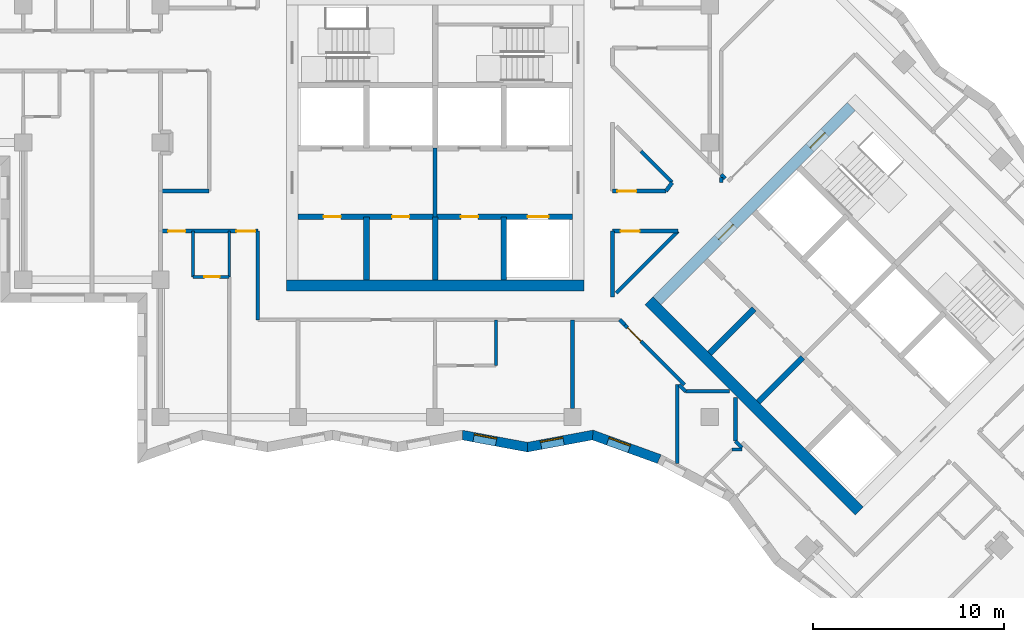
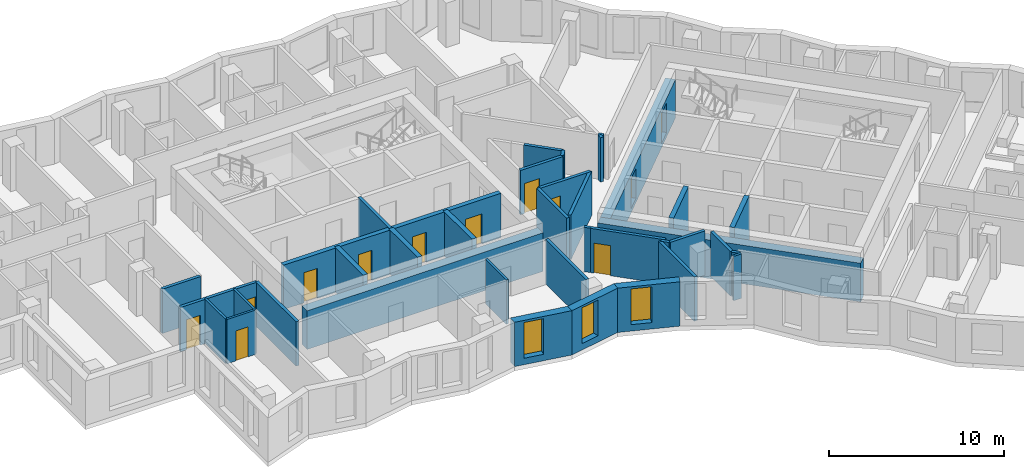
# One storey, part 3 of 13: 37 walls, 12 doors, 3 windows, 15 openings.
"""IFC4 building model written with IfcOpenShell, lengths in metres."""

from ifc_helpers import new_model, si_unit, direction, frame, frame_2d, origin, place, context, subcontext, project, spatial, polyline, rectangle, outline, extrude, material, layer, layer_set, type_object, element, fill, save


model = new_model("IFC4")

# Units and contexts
model_context = context("Model", 3, precision=1e-05, world=origin(), true_north=direction((0.0, 1.0)))
body_context = subcontext(model_context, "Body", "Model", "MODEL_VIEW")
ifc_project = project(units=[si_unit("LENGTHUNIT", "METRE"), si_unit("AREAUNIT", "SQUARE_METRE"), si_unit("VOLUMEUNIT", "CUBIC_METRE"), si_unit("PLANEANGLEUNIT", "RADIAN"), si_unit("MASSUNIT", "GRAM", prefix="KILO")], contexts=[model_context])

# Site, building, storey
site_placement = place(None, origin())
site = spatial("IfcSite", under=ifc_project, at=site_placement, CompositionType="ELEMENT")
building_placement = place(site_placement, origin())
building = spatial("IfcBuilding", under=site, at=building_placement, Name="Windrow Commons", CompositionType="ELEMENT")
storey_placement = place(building_placement, frame((0.0, 0.0, 172.8)))
storey = spatial("IfcBuildingStorey", under=building, at=storey_placement, Name="L47", CompositionType="ELEMENT", Elevation=172.8)

# Wall, opening, window
ifc_material_1 = material(Name="Brick masonry, red clay brick", Category="masonry")
ifc_layer_1 = layer(ifc_material_1, 0.5)
ifc_layer_set_1 = layer_set([ifc_layer_1], Name="Brick facade wall 500")
wall_type_1 = type_object("IfcWallType", Name="Brick facade wall 500", PredefinedType="SOLIDWALL", material=ifc_layer_set_1)
wall_1_placement = place(storey_placement, frame((66.2309, 42.2543, 0.0), z_axis=(0.0, 0.0, 1.0), x_axis=(0.9831669658, -0.1827093798, 0.0)))
wall_1 = element("IfcWall", 1, at=wall_1_placement, inside=storey, type_object=wall_type_1, Name="Brick facade wall L47 47", PredefinedType="SOLIDWALL", context=body_context, shape_type="SweptSolid", body=[
    extrude(outline(polyline([(0.0465, -0.25), (3.511, -0.25), (3.418, 0.25), (-0.0465, 0.25), (0.0465, -0.25)])), origin(), (0.0, 0.0, 1.0), 3.1),
])
opening_1_placement = place(wall_1_placement, frame((0.6031, 0.0, 0.45)))
opening_1 = element("IfcOpeningElement", 2, at=opening_1_placement, cuts=wall_1, Name="Opening W7E", PredefinedType="OPENING", context=body_context, shape_type="SweptSolid", body=[
    extrude(rectangle(XDim=1.2, YDim=2.5, at=frame_2d((0.6, 1.25))), frame((0.0, 0.26, 0.0), z_axis=(0.0, -1.0, 0.0), x_axis=(1.0, 0.0, 0.0)), (0.0, 0.0, 1.0), 0.52),
])
ifc_material_2 = material(Name="Clear float glass in anodised aluminium frame", Category="aluminium")
window_type = type_object("IfcWindowType", Name="Window W7 notch 1200x2500", PartitioningType="SINGLE_PANEL", PredefinedType="WINDOW", material=ifc_material_2)
window_1_placement = place(opening_1_placement, origin())
window_1 = element("IfcWindow", 3, at=window_1_placement, inside=storey, type_object=window_type, Name="Window L47 47.1", OverallHeight=2.5, OverallWidth=1.2, PartitioningType="SINGLE_PANEL", PredefinedType="WINDOW", context=body_context, shape_type="SweptSolid", body=[
    extrude(rectangle(XDim=1.2, YDim=2.5, at=frame_2d((0.6, 1.25))), frame((0.0, 0.18, 0.0), z_axis=(0.0, -1.0, 0.0), x_axis=(1.0, 0.0, 0.0)), (0.0, 0.0, 1.0), 0.06),
])
fill(opening_1, window_1)

wall_2_placement = place(storey_placement, frame((69.6371, 41.6213, 0.0), z_axis=(0.0, 0.0, 1.0), x_axis=(0.9831680568, 0.1827035087, 0.0)))
wall_2 = element("IfcWall", 4, at=wall_2_placement, inside=storey, type_object=wall_type_1, Name="Brick facade wall L47 48", PredefinedType="SOLIDWALL", context=body_context, shape_type="SweptSolid", body=[
    extrude(outline(polyline([(-0.0465, -0.25), (3.418, -0.25), (3.554, 0.25), (0.0465, 0.25), (-0.0465, -0.25)])), origin(), (0.0, 0.0, 1.0), 3.1),
])
opening_2_placement = place(wall_2_placement, frame((0.7249, 0.0, 0.45)))
opening_2 = element("IfcOpeningElement", 5, at=opening_2_placement, cuts=wall_2, Name="Opening W7E", PredefinedType="OPENING", context=body_context, shape_type="SweptSolid", body=[
    extrude(rectangle(XDim=1.2, YDim=2.5, at=frame_2d((0.6, 1.25))), frame((0.0, 0.26, 0.0), z_axis=(0.0, -1.0, 0.0), x_axis=(1.0, 0.0, 0.0)), (0.0, 0.0, 1.0), 0.52),
])
window_2_placement = place(opening_2_placement, origin())
window_2 = element("IfcWindow", 6, at=window_2_placement, inside=storey, type_object=window_type, Name="Window L47 48.1", OverallHeight=2.5, OverallWidth=1.2, PartitioningType="SINGLE_PANEL", PredefinedType="WINDOW", context=body_context, shape_type="SweptSolid", body=[
    extrude(rectangle(XDim=1.2, YDim=2.5, at=frame_2d((0.6, 1.25))), frame((0.0, 0.18, 0.0), z_axis=(0.0, -1.0, 0.0), x_axis=(1.0, 0.0, 0.0)), (0.0, 0.0, 1.0), 0.06),
])
fill(opening_2, window_2)

wall_3_placement = place(storey_placement, frame((73.0644, 42.2582, 0.0), z_axis=(0.0, 0.0, 1.0), x_axis=(0.9402915947, -0.3403699707, 0.0)))
wall_3 = element("IfcWall", 7, at=wall_3_placement, inside=storey, type_object=wall_type_1, Name="Brick facade wall L47 49", PredefinedType="SOLIDWALL", context=body_context, shape_type="SweptSolid", body=[
    extrude(outline(polyline([(0.068, -0.25), (3.6905, -0.25), (3.7262, 0.25), (-0.068, 0.25), (0.068, -0.25)])), origin(), (0.0, 0.0, 1.0), 3.1),
])
opening_3_placement = place(wall_3_placement, frame((0.8483, 0.0, 0.45)))
opening_3 = element("IfcOpeningElement", 8, at=opening_3_placement, cuts=wall_3, Name="Opening W7E", PredefinedType="OPENING", context=body_context, shape_type="SweptSolid", body=[
    extrude(rectangle(XDim=1.2, YDim=2.5, at=frame_2d((0.6, 1.25))), frame((0.0, 0.26, 0.0), z_axis=(0.0, -1.0, 0.0), x_axis=(1.0, 0.0, 0.0)), (0.0, 0.0, 1.0), 0.52),
])
window_3_placement = place(opening_3_placement, origin())
window_3 = element("IfcWindow", 9, at=window_3_placement, inside=storey, type_object=window_type, Name="Window L47 49.1", OverallHeight=2.5, OverallWidth=1.2, PartitioningType="SINGLE_PANEL", PredefinedType="WINDOW", context=body_context, shape_type="SweptSolid", body=[
    extrude(rectangle(XDim=1.2, YDim=2.5, at=frame_2d((0.6, 1.25))), frame((0.0, 0.18, 0.0), z_axis=(0.0, -1.0, 0.0), x_axis=(1.0, 0.0, 0.0)), (0.0, 0.0, 1.0), 0.06),
])
fill(opening_3, window_3)

# Wall
ifc_material_3 = material(Name="Blockwork partition", Category="masonry")
ifc_layer_2 = layer(ifc_material_3, 0.2)
ifc_layer_set_2 = layer_set([ifc_layer_2], Name="Fire lobby partition 200")
wall_type_2 = type_object("IfcWallType", Name="Fire lobby partition 200", PredefinedType="PARTITIONING", material=ifc_layer_set_2)
wall_4_placement = place(storey_placement, frame((64.8, 53.7, 0.0), z_axis=(0.0, 0.0, 1.0), x_axis=(0.0, 1.0, 0.0)))
element("IfcWall", 10, at=wall_4_placement, inside=storey, type_object=wall_type_2, Name="W-core-lobby-A-L47", PredefinedType="PARTITIONING", context=body_context, shape_type="SweptSolid", body=[
    extrude(rectangle(XDim=3.6, YDim=0.2, at=frame_2d((1.8, 0.0))), origin(), (0.0, 0.0, 1.0), 3.1),
])

# Wall, openings, doors
ifc_material_4 = material(Name="Blockwork partition", Category="masonry")
ifc_layer_3 = layer(ifc_material_4, 0.2)
ifc_layer_set_3 = layer_set([ifc_layer_3], Name="IW-CORRIDOR-200")
wall_type_3 = type_object("IfcWallType", Name="IW-CORRIDOR-200", PredefinedType="PARTITIONING", material=ifc_layer_set_3)
wall_5_placement = place(storey_placement, frame((50.4, 52.95, 0.0), z_axis=(0.0, 0.0, 1.0), x_axis=(1.0, 0.0, 0.0)))
wall_5 = element("IfcWall", 11, at=wall_5_placement, inside=storey, type_object=wall_type_3, Name="W-L47-W035", PredefinedType="PARTITIONING", context=body_context, shape_type="SweptSolid", body=[
    extrude(rectangle(XDim=5.1, YDim=0.2, at=frame_2d((2.55, 0.0))), origin(), (0.0, 0.0, 1.0), 3.1),
])
opening_4_placement = place(wall_5_placement, frame((0.4, 0.0, 0.0)))
opening_4 = element("IfcOpeningElement", 12, at=opening_4_placement, cuts=wall_5, Name="Opening D109S", PredefinedType="OPENING", context=body_context, shape_type="SweptSolid", body=[
    extrude(rectangle(XDim=0.9, YDim=2.1, at=frame_2d((0.45, 1.05))), frame((0.0, 0.11, 0.0), z_axis=(0.0, -1.0, 0.0), x_axis=(1.0, 0.0, 0.0)), (0.0, 0.0, 1.0), 0.22),
])
opening_5_placement = place(wall_5_placement, frame((3.976, 0.0, 0.0)))
opening_5 = element("IfcOpeningElement", 13, at=opening_5_placement, cuts=wall_5, Name="Opening D310F", PredefinedType="OPENING", context=body_context, shape_type="SweptSolid", body=[
    extrude(rectangle(XDim=1.0, YDim=2.1, at=frame_2d((0.5, 1.05))), frame((0.0, 0.11, 0.0), z_axis=(0.0, -1.0, 0.0), x_axis=(1.0, 0.0, 0.0)), (0.0, 0.0, 1.0), 0.22),
])
ifc_material_5 = material(Name="Timber door leaf", Category="wood")
door_type_1 = type_object("IfcDoorType", Name="DT-AMENITY-1000", OperationType="SINGLE_SWING_LEFT", PredefinedType="DOOR", material=ifc_material_5)
door_1_placement = place(opening_5_placement, origin())
door_1 = element("IfcDoor", 14, at=door_1_placement, inside=storey, type_object=door_type_1, Name="D-L47-D027", OperationType="SINGLE_SWING_RIGHT", OverallHeight=2.1, OverallWidth=1.0, PredefinedType="DOOR", context=body_context, shape_type="SweptSolid", body=[
    extrude(rectangle(XDim=1.0, YDim=2.1, at=frame_2d((0.5, 1.05))), frame((0.0, 0.025, 0.0), z_axis=(0.0, -1.0, 0.0), x_axis=(1.0, 0.0, 0.0)), (0.0, 0.0, 1.0), 0.05),
])
fill(opening_5, door_1)
ifc_material_6 = material(Name="Timber door leaf", Category="wood")
door_type_2 = type_object("IfcDoorType", Name="DT-BEDROOM-900", OperationType="SINGLE_SWING_LEFT", PredefinedType="DOOR", material=ifc_material_6)
door_2_placement = place(opening_4_placement, origin())
door_2 = element("IfcDoor", 15, at=door_2_placement, inside=storey, type_object=door_type_2, Name="D-L47-D025", OperationType="SINGLE_SWING_LEFT", OverallHeight=2.1, OverallWidth=0.9, PredefinedType="DOOR", context=body_context, shape_type="SweptSolid", body=[
    extrude(rectangle(XDim=0.9, YDim=2.1, at=frame_2d((0.45, 1.05))), frame((0.0, 0.025, 0.0), z_axis=(0.0, -1.0, 0.0), x_axis=(1.0, 0.0, 0.0)), (0.0, 0.0, 1.0), 0.05),
])
fill(opening_4, door_2)

# Walls
wall_6_placement = place(storey_placement, frame((55.5, 48.3, 0.0), z_axis=(0.0, 0.0, 1.0), x_axis=(0.0, 1.0, 0.0)))
element("IfcWall", 16, at=wall_6_placement, inside=storey, type_object=wall_type_3, Name="W-L47-W040", PredefinedType="PARTITIONING", context=body_context, shape_type="SweptSolid", body=[
    extrude(rectangle(XDim=4.65, YDim=0.2, at=frame_2d((2.325, 0.0))), origin(), (0.0, 0.0, 1.0), 3.1),
])
wall_7_placement = place(storey_placement, frame((74.2996, 49.7064, 0.0), z_axis=(0.0, 0.0, 1.0), x_axis=(0.7071067812, 0.7071067812, 0.0)))
element("IfcWall", 17, at=wall_7_placement, inside=storey, type_object=wall_type_3, Name="W-L47-W045", PredefinedType="PARTITIONING", context=body_context, shape_type="SweptSolid", body=[
    extrude(rectangle(XDim=4.5877, YDim=0.2, at=frame_2d((2.2938, 0.0))), origin(), (0.0, 0.0, 1.0), 3.1),
])

# Wall, opening, door
wall_8_placement = place(storey_placement, frame((74.7447, 48.0287, 0.0), z_axis=(0.0, 0.0, 1.0), x_axis=(0.7068806156, -0.7073328745, 0.0)))
wall_8 = element("IfcWall", 18, at=wall_8_placement, inside=storey, type_object=wall_type_3, Name="W-L47-W047", PredefinedType="PARTITIONING", context=body_context, shape_type="SweptSolid", body=[
    extrude(rectangle(XDim=4.4222, YDim=0.2, at=frame_2d((2.2111, 0.0))), origin(), (0.0, 0.0, 1.0), 3.1),
])
opening_6_placement = place(wall_8_placement, frame((0.1993, 0.0, 0.0)))
opening_6 = element("IfcOpeningElement", 19, at=opening_6_placement, cuts=wall_8, Name="Opening D310F", PredefinedType="OPENING", context=body_context, shape_type="SweptSolid", body=[
    extrude(rectangle(XDim=1.0, YDim=2.1, at=frame_2d((0.5, 1.05))), frame((0.0, 0.11, 0.0), z_axis=(0.0, -1.0, 0.0), x_axis=(1.0, 0.0, 0.0)), (0.0, 0.0, 1.0), 0.22),
])
door_3_placement = place(opening_6_placement, origin())
door_3 = element("IfcDoor", 20, at=door_3_placement, inside=storey, type_object=door_type_1, Name="D-L47-D039", OperationType="SINGLE_SWING_LEFT", OverallHeight=2.1, OverallWidth=1.0, PredefinedType="DOOR", context=body_context, shape_type="SweptSolid", body=[
    extrude(rectangle(XDim=1.0, YDim=2.1, at=frame_2d((0.5, 1.05))), frame((0.0, 0.025, 0.0), z_axis=(0.0, -1.0, 0.0), x_axis=(1.0, 0.0, 0.0)), (0.0, 0.0, 1.0), 0.05),
])
fill(opening_6, door_3)

# Wall
wall_9_placement = place(storey_placement, frame((74.1, 49.508, 0.0), z_axis=(0.0, 0.0, 1.0), x_axis=(0.0, 1.0, 0.0)))
element("IfcWall", 21, at=wall_9_placement, inside=storey, type_object=wall_type_3, Name="W-L47-W055", PredefinedType="PARTITIONING", context=body_context, shape_type="SweptSolid", body=[
    extrude(rectangle(XDim=3.442, YDim=0.2, at=frame_2d((1.721, 0.0))), origin(), (0.0, 0.0, 1.0), 3.1),
])

# Wall, opening, door
wall_10_placement = place(storey_placement, frame((74.102, 52.95, 0.0), z_axis=(0.0, 0.0, 1.0), x_axis=(1.0, 0.0, 0.0)))
wall_10 = element("IfcWall", 22, at=wall_10_placement, inside=storey, type_object=wall_type_3, Name="W-L47-W056", PredefinedType="PARTITIONING", context=body_context, shape_type="SweptSolid", body=[
    extrude(rectangle(XDim=3.44, YDim=0.2, at=frame_2d((1.72, 0.0))), origin(), (0.0, 0.0, 1.0), 3.1),
])
opening_7_placement = place(wall_10_placement, frame((0.426, 0.0, 0.0)))
opening_7 = element("IfcOpeningElement", 23, at=opening_7_placement, cuts=wall_10, Name="Opening D410F", PredefinedType="OPENING", context=body_context, shape_type="SweptSolid", body=[
    extrude(rectangle(XDim=1.0, YDim=2.1, at=frame_2d((0.5, 1.05))), frame((0.0, 0.11, 0.0), z_axis=(0.0, -1.0, 0.0), x_axis=(1.0, 0.0, 0.0)), (0.0, 0.0, 1.0), 0.22),
])
ifc_material_7 = material(Name="Timber door leaf", Category="wood")
door_type_3 = type_object("IfcDoorType", Name="DT-SERVICE-1000", OperationType="SINGLE_SWING_LEFT", PredefinedType="DOOR", material=ifc_material_7)
door_4_placement = place(opening_7_placement, origin())
door_4 = element("IfcDoor", 24, at=door_4_placement, inside=storey, type_object=door_type_3, Name="D-L47-D000", OperationType="SINGLE_SWING_RIGHT", OverallHeight=2.1, OverallWidth=1.0, PredefinedType="DOOR", context=body_context, shape_type="SweptSolid", body=[
    extrude(rectangle(XDim=1.0, YDim=2.1, at=frame_2d((0.5, 1.05))), frame((0.0, 0.025, 0.0), z_axis=(0.0, -1.0, 0.0), x_axis=(1.0, 0.0, 0.0)), (0.0, 0.0, 1.0), 0.05),
])
fill(opening_7, door_4)

wall_11_placement = place(storey_placement, frame((74.102, 55.05, 0.0), z_axis=(0.0, 0.0, 1.0), x_axis=(1.0, 0.0, 0.0)))
wall_11 = element("IfcWall", 25, at=wall_11_placement, inside=storey, type_object=wall_type_3, Name="W-L47-W062", PredefinedType="PARTITIONING", context=body_context, shape_type="SweptSolid", body=[
    extrude(rectangle(XDim=2.794, YDim=0.2, at=frame_2d((1.397, 0.0))), origin(), (0.0, 0.0, 1.0), 3.1),
])
opening_8_placement = place(wall_11_placement, frame((0.2542, 0.0, 0.0)))
opening_8 = element("IfcOpeningElement", 26, at=opening_8_placement, cuts=wall_11, Name="Opening D410F", PredefinedType="OPENING", context=body_context, shape_type="SweptSolid", body=[
    extrude(rectangle(XDim=1.0, YDim=2.1, at=frame_2d((0.5, 1.05))), frame((0.0, 0.11, 0.0), z_axis=(0.0, -1.0, 0.0), x_axis=(1.0, 0.0, 0.0)), (0.0, 0.0, 1.0), 0.22),
])
door_5_placement = place(opening_8_placement, origin())
door_5 = element("IfcDoor", 27, at=door_5_placement, inside=storey, type_object=door_type_3, Name="D-L47-D001", OperationType="SINGLE_SWING_LEFT", OverallHeight=2.1, OverallWidth=1.0, PredefinedType="DOOR", context=body_context, shape_type="SweptSolid", body=[
    extrude(rectangle(XDim=1.0, YDim=2.1, at=frame_2d((0.5, 1.05))), frame((0.0, 0.025, 0.0), z_axis=(0.0, -1.0, 0.0), x_axis=(1.0, 0.0, 0.0)), (0.0, 0.0, 1.0), 0.05),
])
fill(opening_8, door_5)

# Walls
wall_12_placement = place(storey_placement, frame((50.4, 55.05, 0.0), z_axis=(0.0, 0.0, 1.0), x_axis=(1.0, 0.0, 0.0)))
element("IfcWall", 28, at=wall_12_placement, inside=storey, type_object=wall_type_3, Name="W-L47-W065", PredefinedType="PARTITIONING", context=body_context, shape_type="SweptSolid", body=[
    extrude(rectangle(XDim=2.55, YDim=0.2, at=frame_2d((1.275, 0.0))), origin(), (0.0, 0.0, 1.0), 3.1),
])
wall_13_placement = place(storey_placement, frame((75.597, 57.141, 0.0), z_axis=(0.0, 0.0, 1.0), x_axis=(0.7071067812, -0.7071067812, 0.0)))
element("IfcWall", 29, at=wall_13_placement, inside=storey, type_object=wall_type_3, Name="W-L47-W099", PredefinedType="PARTITIONING", context=body_context, shape_type="SweptSolid", body=[
    extrude(rectangle(XDim=2.3052, YDim=0.2, at=frame_2d((1.1526, 0.0))), origin(), (0.0, 0.0, 1.0), 3.1),
])
for number, where, z_axis, x_axis, name in (
    (30, (77.942, 44.55, 0.0), (0.0, 0.0, 1.0), (1.0, 0.0, 0.0), "W-L47-W100"),
    (31, (80.55, 41.942, 0.0), (0.0, 0.0, 1.0), (0.0, 1.0, 0.0), "W-L47-W101"),
):
    element("IfcWall", number, at=place(storey_placement, frame(where, z_axis=z_axis, x_axis=x_axis)), inside=storey, type_object=wall_type_3, Name=name, PredefinedType="PARTITIONING", context=body_context, shape_type="SweptSolid", body=[
        extrude(rectangle(XDim=2.29, YDim=0.2, at=frame_2d((1.145, 0.0))), origin(), (0.0, 0.0, 1.0), 3.1),
    ])
wall_14_placement = place(storey_placement, frame((76.9029, 55.0508, 0.0), z_axis=(0.0, 0.0, 1.0), x_axis=(0.5890255926, 0.8081143801, 0.0)))
element("IfcWall", 32, at=wall_14_placement, inside=storey, type_object=wall_type_3, Name="W-L47-W149", PredefinedType="PARTITIONING", context=body_context, shape_type="SweptSolid", body=[
    extrude(rectangle(XDim=0.5569, YDim=0.2, at=frame_2d((0.2784, 0.0))), origin(), (0.0, 0.0, 1.0), 3.1),
])
for number, where, z_axis, x_axis, name in (
    (33, (77.5885, 44.8965, 0.0), (0.0, 0.0, 1.0), (0.7071067812, -0.7071067812, 0.0), "W-L47-W153"),
    (34, (80.5465, 41.9385, 0.0), (0.0, 0.0, 1.0), (0.7071067812, -0.7071067812, 0.0), "W-L47-W154"),
):
    element("IfcWall", number, at=place(storey_placement, frame(where, z_axis=z_axis, x_axis=x_axis)), inside=storey, type_object=wall_type_3, Name=name, PredefinedType="PARTITIONING", context=body_context, shape_type="SweptSolid", body=[
        extrude(rectangle(XDim=0.495, YDim=0.2, at=frame_2d((0.2475, 0.0))), origin(), (0.0, 0.0, 1.0), 3.1),
    ])
wall_15_placement = place(storey_placement, frame((79.8, 55.49, 0.0), z_axis=(0.0, 0.0, 1.0), x_axis=(0.0, 1.0, 0.0)))
element("IfcWall", 35, at=wall_15_placement, inside=storey, type_object=wall_type_3, Name="W-L47-W163", PredefinedType="PARTITIONING", context=body_context, shape_type="SweptSolid", body=[
    extrude(rectangle(XDim=0.284, YDim=0.2, at=frame_2d((0.142, 0.0))), origin(), (0.0, 0.0, 1.0), 3.1),
])
wall_16_placement = place(storey_placement, frame((74.4772, 48.3032, 0.0), z_axis=(0.0, 0.0, 1.0), x_axis=(0.7097111995, -0.7044927348, 0.0)))
element("IfcWall", 36, at=wall_16_placement, inside=storey, type_object=wall_type_3, Name="W-L47-W164", PredefinedType="PARTITIONING", context=body_context, shape_type="SweptSolid", body=[
    extrude(rectangle(XDim=0.3833, YDim=0.2, at=frame_2d((0.1916, 0.0))), origin(), (0.0, 0.0, 1.0), 3.1),
])
ifc_material_8 = material(Name="Blockwork partition", Category="masonry")
ifc_layer_4 = layer(ifc_material_8, 0.15)
ifc_layer_set_4 = layer_set([ifc_layer_4], Name="IW-ENSUITE-150")
wall_type_4 = type_object("IfcWallType", Name="IW-ENSUITE-150", PredefinedType="PARTITIONING", material=ifc_layer_set_4)
for number, where, z_axis, x_axis, name in (
    (37, (52.1, 50.55, 0.0), (0.0, 0.0, 1.0), (0.0, 1.0, 0.0), "W-L47-W071"),
    (38, (54.0, 50.55, 0.0), (0.0, 0.0, 1.0), (0.0, 1.0, 0.0), "W-L47-W072"),
    (39, (68.0, 45.9, 0.0), (0.0, 0.0, 1.0), (0.0, 1.0, 0.0), "W-L47-W077"),
):
    element("IfcWall", number, at=place(storey_placement, frame(where, z_axis=z_axis, x_axis=x_axis)), inside=storey, type_object=wall_type_4, Name=name, PredefinedType="PARTITIONING", context=body_context, shape_type="SweptSolid", body=[
        extrude(rectangle(XDim=2.4, YDim=0.15, at=frame_2d((1.2, 0.0))), origin(), (0.0, 0.0, 1.0), 3.1),
    ])

# Wall, opening, door
wall_17_placement = place(storey_placement, frame((52.1, 50.55, 0.0), z_axis=(0.0, 0.0, 1.0), x_axis=(1.0, 0.0, 0.0)))
wall_17 = element("IfcWall", 40, at=wall_17_placement, inside=storey, type_object=wall_type_4, Name="W-L47-W123", PredefinedType="PARTITIONING", context=body_context, shape_type="SweptSolid", body=[
    extrude(rectangle(XDim=1.9, YDim=0.15, at=frame_2d((0.95, 0.0))), origin(), (0.0, 0.0, 1.0), 3.1),
])
opening_9_placement = place(wall_17_placement, frame((0.5979, 0.0, 0.0)))
opening_9 = element("IfcOpeningElement", 41, at=opening_9_placement, cuts=wall_17, Name="Opening D208N", PredefinedType="OPENING", context=body_context, shape_type="SweptSolid", body=[
    extrude(rectangle(XDim=0.8, YDim=2.1, at=frame_2d((0.4, 1.05))), frame((0.0, 0.085, 0.0), z_axis=(0.0, -1.0, 0.0), x_axis=(1.0, 0.0, 0.0)), (0.0, 0.0, 1.0), 0.17),
])
ifc_material_9 = material(Name="Timber door leaf", Category="wood")
door_type_4 = type_object("IfcDoorType", Name="DT-ENSUITE-800", OperationType="SINGLE_SWING_LEFT", PredefinedType="DOOR", material=ifc_material_9)
door_6_placement = place(opening_9_placement, origin())
door_6 = element("IfcDoor", 42, at=door_6_placement, inside=storey, type_object=door_type_4, Name="D-L47-D026", OperationType="SINGLE_SWING_RIGHT", OverallHeight=2.1, OverallWidth=0.8, PredefinedType="DOOR", context=body_context, shape_type="SweptSolid", body=[
    extrude(rectangle(XDim=0.8, YDim=2.1, at=frame_2d((0.4, 1.05))), frame((0.0, 0.025, 0.0), z_axis=(0.0, -1.0, 0.0), x_axis=(1.0, 0.0, 0.0)), (0.0, 0.0, 1.0), 0.05),
])
fill(opening_9, door_6)

# Walls
wall_18_placement = place(storey_placement, frame((80.378, 41.5, 0.0), z_axis=(0.0, 0.0, 1.0), x_axis=(1.0, 0.0, 0.0)))
element("IfcWall", 43, at=wall_18_placement, inside=storey, type_object=wall_type_4, Name="W-L47-W152", PredefinedType="PARTITIONING", context=body_context, shape_type="SweptSolid", body=[
    extrude(rectangle(XDim=0.522, YDim=0.15, at=frame_2d((0.261, 0.0))), origin(), (0.0, 0.0, 1.0), 3.1),
])
ifc_material_10 = material(Name="Blockwork partition", Category="masonry")
ifc_layer_5 = layer(ifc_material_10, 0.2)
ifc_layer_set_5 = layer_set([ifc_layer_5], Name="IW-PARTY-200")
wall_type_5 = type_object("IfcWallType", Name="IW-PARTY-200", PredefinedType="PARTITIONING", material=ifc_layer_set_5)
wall_19_placement = place(storey_placement, frame((72.0, 43.65, 0.0), z_axis=(0.0, 0.0, 1.0), x_axis=(0.0, 1.0, 0.0)))
element("IfcWall", 44, at=wall_19_placement, inside=storey, type_object=wall_type_5, Name="W-L47-W043", PredefinedType="PARTITIONING", context=body_context, shape_type="SweptSolid", body=[
    extrude(rectangle(XDim=4.65, YDim=0.2, at=frame_2d((2.325, 0.0))), origin(), (0.0, 0.0, 1.0), 3.1),
])
wall_20_placement = place(storey_placement, frame((77.5, 40.7732, 0.0), z_axis=(0.0, 0.0, 1.0), x_axis=(0.0, 1.0, 0.0)))
element("IfcWall", 45, at=wall_20_placement, inside=storey, type_object=wall_type_5, Name="W-L47-W049", PredefinedType="PARTITIONING", context=body_context, shape_type="SweptSolid", body=[
    extrude(rectangle(XDim=4.1268, YDim=0.2, at=frame_2d((2.0634, 0.0))), origin(), (0.0, 0.0, 1.0), 3.1),
])
wall_21_placement = place(storey_placement, frame((79.7972, 55.9112, 0.0), z_axis=(0.0, 0.0, 1.0), x_axis=(0.710418702, -0.7037792749, 0.0)))
element("IfcWall", 46, at=wall_21_placement, inside=storey, type_object=wall_type_5, Name="W-L47-W165", PredefinedType="PARTITIONING", context=body_context, shape_type="SweptSolid", body=[
    extrude(rectangle(XDim=0.3012, YDim=0.2, at=frame_2d((0.1506, 0.0))), origin(), (0.0, 0.0, 1.0), 3.1),
])
ifc_material_11 = material(Name="Concrete C50/60", Category="concrete")
ifc_layer_6 = layer(ifc_material_11, 0.6)
ifc_layer_set_6 = layer_set([ifc_layer_6], Name="RC CORE WALL 600 C50/60")
wall_type_6 = type_object("IfcWallType", Name="RC CORE WALL 600 C50/60", PredefinedType="SHEAR", material=ifc_layer_set_6)
for number, where, z_axis, x_axis, name in (
    (47, (57.0, 50.1, -0.3), (0.0, 0.0, 1.0), (1.0, 0.0, 0.0), "Core A wall outer-S"),
    (48, (76.018, 49.3019, -0.3), (0.0, 0.0, 1.0), (0.7071067812, -0.7071067812, 0.0), "Core B wall outer-S"),
):
    element("IfcWall", number, at=place(storey_placement, frame(where, z_axis=z_axis, x_axis=x_axis)), inside=storey, type_object=wall_type_6, Name=name, PredefinedType="SHEAR", context=body_context, shape_type="SweptSolid", body=[
        extrude(rectangle(XDim=15.6, YDim=0.6, at=frame_2d((7.8, 0.0))), origin(), (0.0, 0.0, 1.0), 2.7),
    ])

# Wall, openings, doors
wall_22_placement = place(storey_placement, frame((76.4423, 49.3019, -0.3), z_axis=(0.0, 0.0, 1.0), x_axis=(0.7071067812, 0.7071067812, 0.0)))
wall_22 = element("IfcWall", 49, at=wall_22_placement, inside=storey, type_object=wall_type_6, Name="Core B wall outer-W", PredefinedType="SHEAR", context=body_context, shape_type="SweptSolid", body=[
    extrude(rectangle(XDim=14.3999, YDim=0.6, at=frame_2d((7.2, 0.0))), origin(), (0.0, 0.0, 1.0), 2.7),
])
opening_10_placement = place(wall_22_placement, frame((4.55, 0.0, 0.3)))
opening_10 = element("IfcOpeningElement", 50, at=opening_10_placement, cuts=wall_22, Name="Opening D6", PredefinedType="OPENING", context=body_context, shape_type="SweptSolid", body=[
    extrude(rectangle(XDim=1.1, YDim=2.1, at=frame_2d((0.55, 1.05))), frame((0.0, 0.31, 0.0), z_axis=(0.0, -1.0, 0.0), x_axis=(1.0, 0.0, 0.0)), (0.0, 0.0, 1.0), 0.62),
])
opening_11_placement = place(wall_22_placement, frame((11.35, 0.0, 0.3)))
opening_11 = element("IfcOpeningElement", 51, at=opening_11_placement, cuts=wall_22, Name="Opening D7", PredefinedType="OPENING", context=body_context, shape_type="SweptSolid", body=[
    extrude(rectangle(XDim=1.1, YDim=2.1, at=frame_2d((0.55, 1.05))), frame((0.0, 0.31, 0.0), z_axis=(0.0, -1.0, 0.0), x_axis=(1.0, 0.0, 0.0)), (0.0, 0.0, 1.0), 0.62),
])
ifc_material_12 = material(Name="Steel fire door leaf", Category="steel")
door_type_5 = type_object("IfcDoorType", Name="Core lobby door 1100", OperationType="SINGLE_SWING_LEFT", PredefinedType="DOOR", material=ifc_material_12)
door_7_placement = place(opening_10_placement, origin())
door_7 = element("IfcDoor", 52, at=door_7_placement, inside=storey, type_object=door_type_5, Name="Lift lobby door", OperationType="DOUBLE_DOOR_SINGLE_SWING", OverallHeight=2.1, OverallWidth=1.1, PredefinedType="DOOR", context=body_context, shape_type="SweptSolid", body=[
    extrude(rectangle(XDim=1.1, YDim=2.1, at=frame_2d((0.55, 1.05))), frame((0.0, 0.025, 0.0), z_axis=(0.0, -1.0, 0.0), x_axis=(1.0, 0.0, 0.0)), (0.0, 0.0, 1.0), 0.05),
])
fill(opening_10, door_7)
ifc_material_13 = material(Name="Steel fire door leaf", Category="steel")
door_type_6 = type_object("IfcDoorType", Name="Stair door 1100", OperationType="SINGLE_SWING_LEFT", PredefinedType="DOOR", material=ifc_material_13)
door_8_placement = place(opening_11_placement, origin())
door_8 = element("IfcDoor", 53, at=door_8_placement, inside=storey, type_object=door_type_6, Name="Stair door", OperationType="SINGLE_SWING_LEFT", OverallHeight=2.1, OverallWidth=1.1, PredefinedType="DOOR", context=body_context, shape_type="SweptSolid", body=[
    extrude(rectangle(XDim=1.1, YDim=2.1, at=frame_2d((0.55, 1.05))), frame((0.0, 0.025, 0.0), z_axis=(0.0, -1.0, 0.0), x_axis=(1.0, 0.0, 0.0)), (0.0, 0.0, 1.0), 0.05),
])
fill(opening_11, door_8)

# Walls
ifc_material_14 = material(Name="Concrete C50/60", Category="concrete")
ifc_layer_7 = layer(ifc_material_14, 0.3)
ifc_layer_set_7 = layer_set([ifc_layer_7], Name="RC SHAFT WALL 300 C50/60")
wall_type_7 = type_object("IfcWallType", Name="RC SHAFT WALL 300 C50/60", PredefinedType="SOLIDWALL", material=ifc_layer_set_7)
for number, where, z_axis, x_axis, name in (
    (54, (61.2, 50.4, 0.0), (0.0, 0.0, 1.0), (0.0, 1.0, 0.0), "Core A wall shaft-S1"),
    (55, (64.8, 50.4, 0.0), (0.0, 0.0, 1.0), (0.0, 1.0, 0.0), "Core A wall shaft-S2"),
    (56, (68.4, 50.4, 0.0), (0.0, 0.0, 1.0), (0.0, 1.0, 0.0), "Core A wall shaft-S3"),
):
    element("IfcWall", number, at=place(storey_placement, frame(where, z_axis=z_axis, x_axis=x_axis)), inside=storey, type_object=wall_type_7, Name=name, PredefinedType="SOLIDWALL", context=body_context, shape_type="SweptSolid", body=[
        extrude(rectangle(XDim=3.3, YDim=0.3, at=frame_2d((1.65, 0.0))), origin(), (0.0, 0.0, 1.0), 3.1),
    ])

# Wall, openings, doors
wall_23_placement = place(storey_placement, frame((57.6, 53.7, 0.0), z_axis=(0.0, 0.0, 1.0), x_axis=(1.0, 0.0, 0.0)))
wall_23 = element("IfcWall", 57, at=wall_23_placement, inside=storey, type_object=wall_type_7, Name="Core A wall lobby-S", PredefinedType="SOLIDWALL", context=body_context, shape_type="SweptSolid", body=[
    extrude(rectangle(XDim=14.4, YDim=0.3, at=frame_2d((7.2, 0.0))), origin(), (0.0, 0.0, 1.0), 3.1),
])
opening_12_placement = place(wall_23_placement, frame((1.35, 0.0, 0.0)))
opening_12 = element("IfcOpeningElement", 58, at=opening_12_placement, cuts=wall_23, Name="Opening D8", PredefinedType="OPENING", context=body_context, shape_type="SweptSolid", body=[
    extrude(rectangle(XDim=0.9, YDim=2.1, at=frame_2d((0.45, 1.05))), frame((0.0, 0.16, 0.0), z_axis=(0.0, -1.0, 0.0), x_axis=(1.0, 0.0, 0.0)), (0.0, 0.0, 1.0), 0.32),
])
opening_13_placement = place(wall_23_placement, frame((4.95, 0.0, 0.0)))
opening_13 = element("IfcOpeningElement", 59, at=opening_13_placement, cuts=wall_23, Name="Opening D8", PredefinedType="OPENING", context=body_context, shape_type="SweptSolid", body=[
    extrude(rectangle(XDim=0.9, YDim=2.1, at=frame_2d((0.45, 1.05))), frame((0.0, 0.16, 0.0), z_axis=(0.0, -1.0, 0.0), x_axis=(1.0, 0.0, 0.0)), (0.0, 0.0, 1.0), 0.32),
])
opening_14_placement = place(wall_23_placement, frame((8.55, 0.0, 0.0)))
opening_14 = element("IfcOpeningElement", 60, at=opening_14_placement, cuts=wall_23, Name="Opening D8", PredefinedType="OPENING", context=body_context, shape_type="SweptSolid", body=[
    extrude(rectangle(XDim=0.9, YDim=2.1, at=frame_2d((0.45, 1.05))), frame((0.0, 0.16, 0.0), z_axis=(0.0, -1.0, 0.0), x_axis=(1.0, 0.0, 0.0)), (0.0, 0.0, 1.0), 0.32),
])
opening_15_placement = place(wall_23_placement, frame((12.05, 0.0, 0.0)))
opening_15 = element("IfcOpeningElement", 61, at=opening_15_placement, cuts=wall_23, Name="Opening LD", PredefinedType="OPENING", context=body_context, shape_type="SweptSolid", body=[
    extrude(rectangle(XDim=1.1, YDim=2.1, at=frame_2d((0.55, 1.05))), frame((0.0, 0.16, 0.0), z_axis=(0.0, -1.0, 0.0), x_axis=(1.0, 0.0, 0.0)), (0.0, 0.0, 1.0), 0.32),
])
ifc_material_15 = material(Name="Steel fire door leaf", Category="steel")
door_type_7 = type_object("IfcDoorType", Name="Core store door 900", OperationType="SINGLE_SWING_LEFT", PredefinedType="DOOR", material=ifc_material_15)
door_9_placement = place(opening_12_placement, origin())
door_9 = element("IfcDoor", 62, at=door_9_placement, inside=storey, type_object=door_type_7, Name="Store door", OperationType="SINGLE_SWING_LEFT", OverallHeight=2.1, OverallWidth=0.9, PredefinedType="DOOR", context=body_context, shape_type="SweptSolid", body=[
    extrude(rectangle(XDim=0.9, YDim=2.1, at=frame_2d((0.45, 1.05))), frame((0.0, 0.025, 0.0), z_axis=(0.0, -1.0, 0.0), x_axis=(1.0, 0.0, 0.0)), (0.0, 0.0, 1.0), 0.05),
])
fill(opening_12, door_9)
door_10_placement = place(opening_13_placement, origin())
door_10 = element("IfcDoor", 63, at=door_10_placement, inside=storey, type_object=door_type_7, Name="Store door", OperationType="SINGLE_SWING_LEFT", OverallHeight=2.1, OverallWidth=0.9, PredefinedType="DOOR", context=body_context, shape_type="SweptSolid", body=[
    extrude(rectangle(XDim=0.9, YDim=2.1, at=frame_2d((0.45, 1.05))), frame((0.0, 0.025, 0.0), z_axis=(0.0, -1.0, 0.0), x_axis=(1.0, 0.0, 0.0)), (0.0, 0.0, 1.0), 0.05),
])
fill(opening_13, door_10)
door_11_placement = place(opening_14_placement, origin())
door_11 = element("IfcDoor", 64, at=door_11_placement, inside=storey, type_object=door_type_7, Name="Store door", OperationType="SINGLE_SWING_LEFT", OverallHeight=2.1, OverallWidth=0.9, PredefinedType="DOOR", context=body_context, shape_type="SweptSolid", body=[
    extrude(rectangle(XDim=0.9, YDim=2.1, at=frame_2d((0.45, 1.05))), frame((0.0, 0.025, 0.0), z_axis=(0.0, -1.0, 0.0), x_axis=(1.0, 0.0, 0.0)), (0.0, 0.0, 1.0), 0.05),
])
fill(opening_14, door_11)
ifc_material_16 = material(Name="Stainless steel door leaf", Category="steel")
door_type_8 = type_object("IfcDoorType", Name="Lift landing door 1100", OperationType="SLIDING_TO_LEFT", PredefinedType="DOOR", material=ifc_material_16)
door_12_placement = place(opening_15_placement, origin())
door_12 = element("IfcDoor", 65, at=door_12_placement, inside=storey, type_object=door_type_8, Name="Lift landing door", OperationType="SLIDING_TO_RIGHT", OverallHeight=2.1, OverallWidth=1.1, PredefinedType="DOOR", context=body_context, shape_type="SweptSolid", body=[
    extrude(rectangle(XDim=1.1, YDim=2.1, at=frame_2d((0.55, 1.05))), frame((0.0, 0.025, 0.0), z_axis=(0.0, -1.0, 0.0), x_axis=(1.0, 0.0, 0.0)), (0.0, 0.0, 1.0), 0.05),
])
fill(opening_15, door_12)

# Walls
wall_24_placement = place(storey_placement, frame((79.2, 46.5442, 0.0), z_axis=(0.0, 0.0, 1.0), x_axis=(0.7071219326, 0.7070916295, 0.0)))
element("IfcWall", 66, at=wall_24_placement, inside=storey, type_object=wall_type_7, Name="Core B wall shaft-S1", PredefinedType="SOLIDWALL", context=body_context, shape_type="SweptSolid", body=[
    extrude(rectangle(XDim=3.3, YDim=0.3, at=frame_2d((1.65, 0.0))), origin(), (0.0, 0.0, 1.0), 3.1),
])
wall_25_placement = place(storey_placement, frame((81.7456, 43.9986, 0.0), z_axis=(0.0, 0.0, 1.0), x_axis=(0.7071067812, 0.7071067812, 0.0)))
element("IfcWall", 67, at=wall_25_placement, inside=storey, type_object=wall_type_7, Name="Core B wall shaft-S2", PredefinedType="SOLIDWALL", context=body_context, shape_type="SweptSolid", body=[
    extrude(rectangle(XDim=3.2999, YDim=0.3, at=frame_2d((1.65, 0.0))), origin(), (0.0, 0.0, 1.0), 3.1),
])

save(model, "model.ifc")
